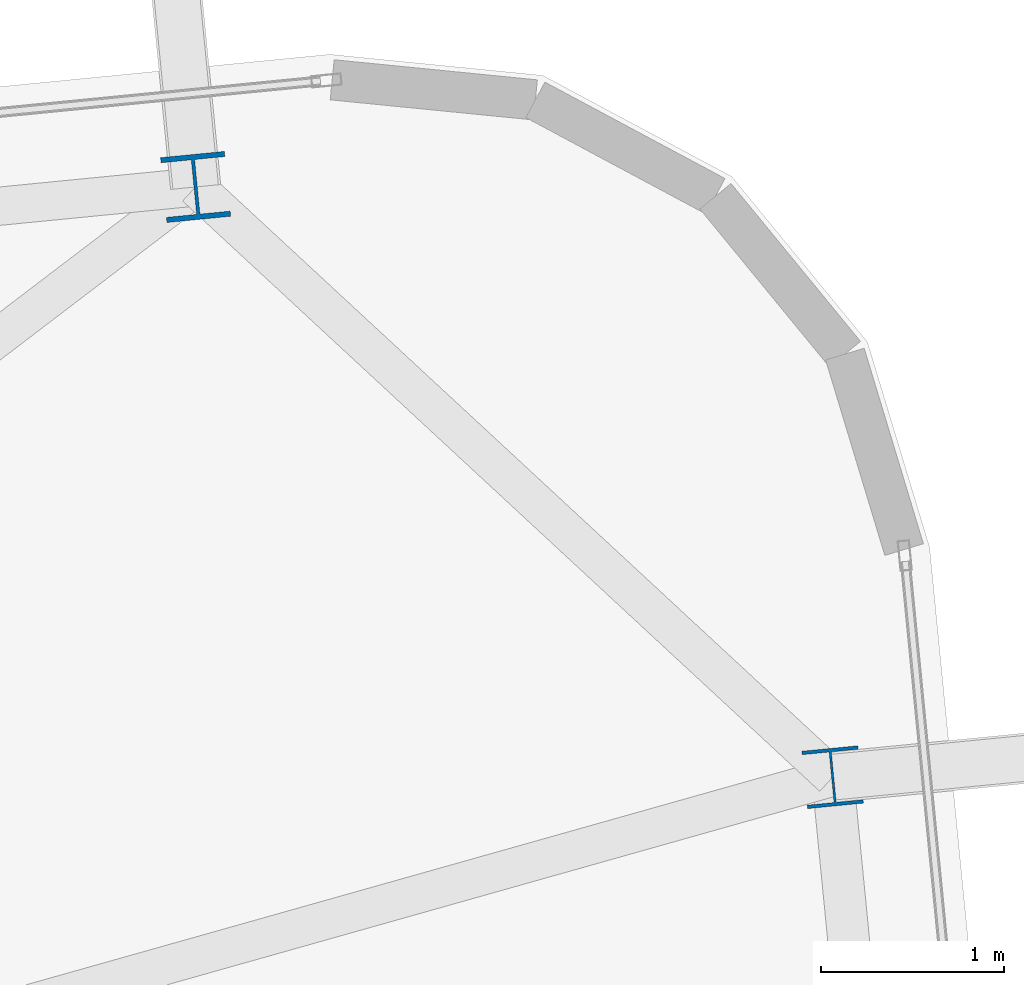
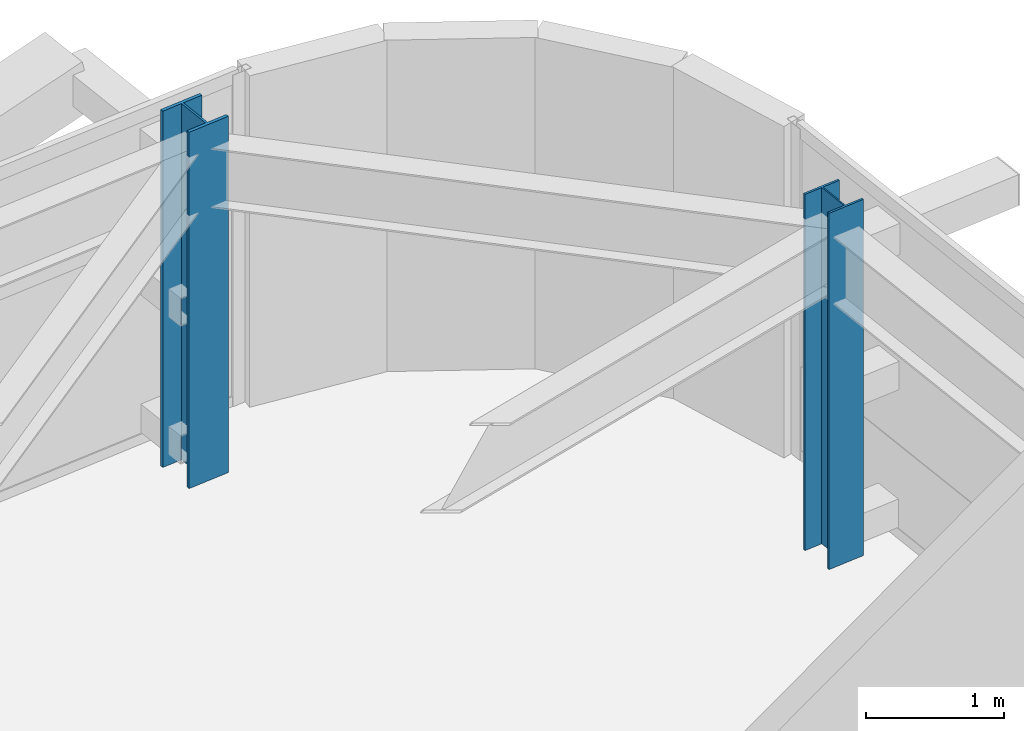
# One storey, part 4 of 53: 2 columns.
"""IFC4 building model written with IfcOpenShell, lengths in metres."""

from ifc_helpers import new_model, si_unit, direction, frame, origin, origin_2d, place, context, subcontext, project, spatial, i_section, extrude, source, transform, mapped, material, material_profile, profile_set, type_object, element, save


model = new_model("IFC4")

# Units and contexts
model_context = context("Model", 3, precision=1e-05, world=origin(), true_north=direction((0.0, 1.0)))
body_context = subcontext(model_context, "Body", "Model", "MODEL_VIEW")
ifc_project = project(units=[si_unit("LENGTHUNIT", "METRE"), si_unit("AREAUNIT", "SQUARE_METRE"), si_unit("VOLUMEUNIT", "CUBIC_METRE"), si_unit("PLANEANGLEUNIT", "RADIAN"), si_unit("MASSUNIT", "GRAM", prefix="KILO")], contexts=[model_context])

# Site, building, storey
site_placement = place(None, origin())
site = spatial("IfcSite", under=ifc_project, at=site_placement, CompositionType="ELEMENT")
building_placement = place(site_placement, origin())
building = spatial("IfcBuilding", under=site, at=building_placement, Name="Taldren Reach Tower", CompositionType="ELEMENT")
storey_placement = place(building_placement, frame((0.0, 0.0, 68.25)))
storey = spatial("IfcBuildingStorey", under=building, at=storey_placement, Name="L20", CompositionType="ELEMENT", Elevation=68.25)

# Columns
ifc_material = material(Name="Steel Gr 350 (350PLUS)", Category="steel")
ifc_material_profile_1 = material_profile(ifc_material, i_section(OverallWidth=0.35009765625, OverallDepth=0.35595703125, WebThickness=0.01806640625, FlangeThickness=0.028076171875, at=origin_2d()), Name="350WC197")
ifc_profile_set_1 = profile_set([ifc_material_profile_1], Name="Steel Gr 350 (350PLUS)")
column_type_1 = type_object("IfcColumnType", Name="COL-WC350", PredefinedType="COLUMN", material=ifc_profile_set_1)
shared_shape_1 = source(origin(), body_context, "Body", "SweptSolid", [
    extrude(i_section(OverallWidth=0.35009765625, OverallDepth=0.35595703125, WebThickness=0.01806640625, FlangeThickness=0.028076171875, at=origin_2d()), origin(), (0.0, 0.0, 1.0), 3.14990234375),
])
column_1_placement = place(storey_placement, frame((59.765869140625, 38.679931640625, 0.0), z_axis=(0.0, 0.0, 1.0), x_axis=(0.995227399982, 0.097582899759, 0.0)))
element("IfcColumn", 1, at=column_1_placement, inside=storey, type_object=column_type_1, Name="Block B2 perimeter column N6 L20", PredefinedType="COLUMN", context=body_context, shape_type="MappedRepresentation", body=[
    mapped(shared_shape_1, transform((0.0, 0.0, 0.0), scale=1.0)),
])
ifc_material_profile_2 = material_profile(ifc_material, i_section(OverallWidth=0.306884765625, OverallDepth=0.31494140625, WebThickness=0.011962890625, FlangeThickness=0.018798828125, at=origin_2d()), Name="310UC118")
ifc_profile_set_2 = profile_set([ifc_material_profile_2], Name="Steel Gr 350 (350PLUS)")
column_type_2 = type_object("IfcColumnType", Name="COL-UC310B", PredefinedType="COLUMN", material=ifc_profile_set_2)
shared_shape_2 = source(origin(), body_context, "Body", "SweptSolid", [
    extrude(i_section(OverallWidth=0.306884765625, OverallDepth=0.31494140625, WebThickness=0.011962890625, FlangeThickness=0.018798828125, at=origin_2d()), origin(), (0.0, 0.0, 1.0), 3.14990234375),
])
column_2_placement = place(storey_placement, frame((63.247314453125, 35.454345703125, 0.0), z_axis=(0.0, 0.0, 1.0), x_axis=(0.995227399982, 0.097582899759, 0.0)))
element("IfcColumn", 2, at=column_2_placement, inside=storey, type_object=column_type_2, Name="Block B2 perimeter column E3 L20", PredefinedType="COLUMN", context=body_context, shape_type="MappedRepresentation", body=[
    mapped(shared_shape_2, transform((0.0, 0.0, 0.0), scale=1.0)),
])

save(model, "model.ifc")
